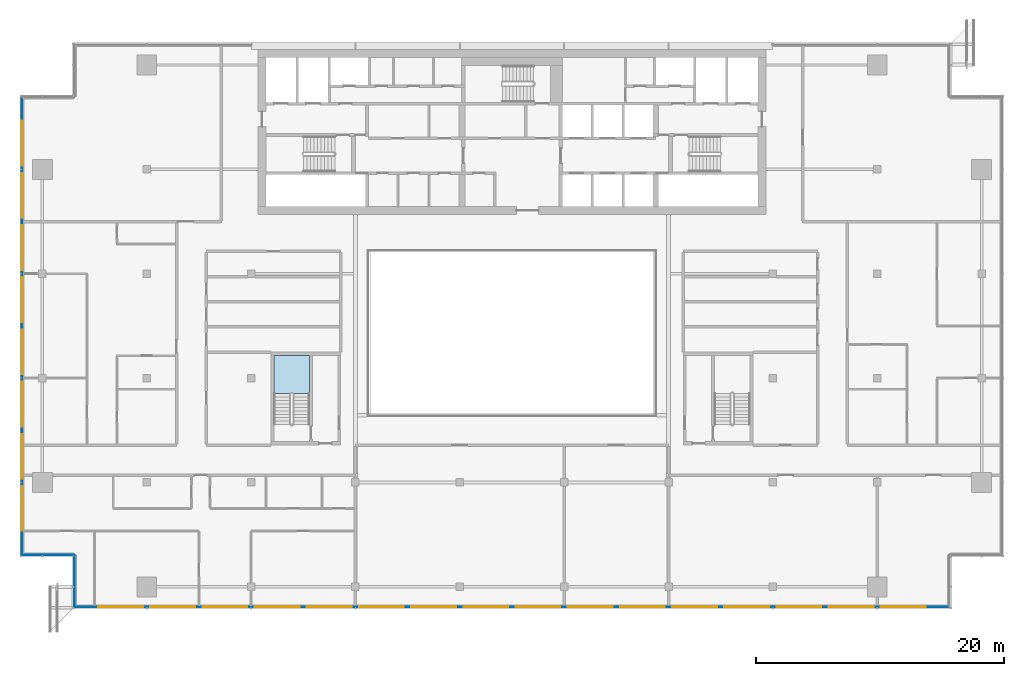
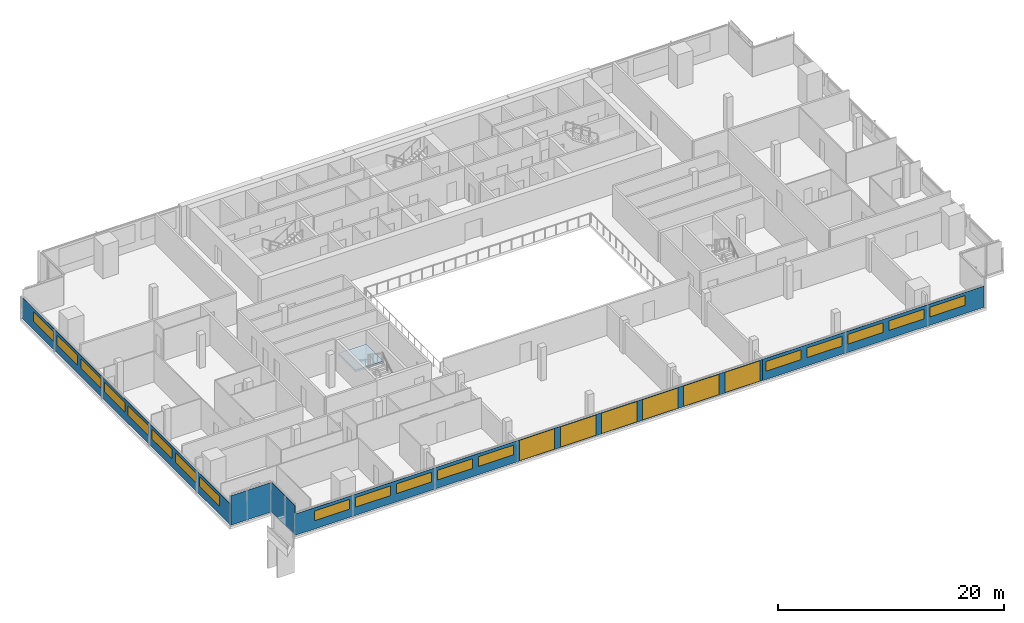
# One storey, part 15 of 25: 24 windows, 6 plates, 1 slab, 24 openings, 5 elements without a shape of their own.
"""IFC4 building model written with IfcOpenShell, lengths in metres."""

from ifc_helpers import new_model, si_unit, direction, frame, frame_2d, origin, place, context, subcontext, project, spatial, polyline, rectangle, outline, extrude, material, layer, layer_set, type_object, element, fill, aggregate, save


model = new_model("IFC4")

# Units and contexts
model_context = context("Model", 3, precision=1e-05, world=origin(), true_north=direction((0.0, 1.0)))
body_context = subcontext(model_context, "Body", "Model", "MODEL_VIEW")
ifc_project = project(units=[si_unit("LENGTHUNIT", "METRE"), si_unit("AREAUNIT", "SQUARE_METRE"), si_unit("VOLUMEUNIT", "CUBIC_METRE"), si_unit("PLANEANGLEUNIT", "RADIAN"), si_unit("MASSUNIT", "GRAM", prefix="KILO")], contexts=[model_context])

# Site, building, storey
site_placement = place(None, origin())
site = spatial("IfcSite", under=ifc_project, at=site_placement, CompositionType="ELEMENT")
building_placement = place(site_placement, origin())
building = spatial("IfcBuilding", under=site, at=building_placement, Name="Saffron Gate Tower", CompositionType="ELEMENT")
storey_placement = place(building_placement, frame((0.0, 0.0, 248.699951171875)))
storey = spatial("IfcBuildingStorey", under=building, at=storey_placement, Name="L61", CompositionType="ELEMENT", Elevation=248.699951171875)

# Curtain wall, plates, openings, windows
ifc_material_1 = material(Name="Aluminium, bronze anodised", Category="aluminium")
curtain_wall_type_1 = type_object("IfcCurtainWallType", Name="CWS1 curtain wall front facade", PredefinedType="NOTDEFINED", material=ifc_material_1)
curtain_wall_1_placement = place(storey_placement, origin())
curtain_wall_1 = element("IfcCurtainWall", 1, at=curtain_wall_1_placement, inside=storey, type_object=curtain_wall_type_1, Name="CWS1 run 1", PredefinedType="NOTDEFINED")
ifc_material_2 = material(Name="Clear low-iron laminated glass", Category="glass")
ifc_layer_1 = layer(ifc_material_2, 0.028076171875)
ifc_layer_set_1 = layer_set([ifc_layer_1], Name="CWS1 clear glass")
plate_type_1 = type_object("IfcPlateType", Name="CWS1 clear glass", PredefinedType="CURTAIN_PANEL", material=ifc_layer_set_1)
plate_1_placement = place(storey_placement, frame((75.030029296875, 30.174072265625, 0.0), z_axis=(0.0, 0.0, 1.0), x_axis=(1.0, 0.0, 0.0)))
plate_1 = element("IfcPlate", 2, at=plate_1_placement, type_object=plate_type_1, Name="CWS1 clear glass panel", PredefinedType="CURTAIN_PANEL", context=body_context, shape_type="SweptSolid", body=[
    extrude(rectangle(XDim=25.139892578125, YDim=0.028076171875, at=frame_2d((12.56982421875, 0.0))), origin(), (0.0, 0.0, 1.0), 2.2900390625),
])
opening_1_placement = place(plate_1_placement, frame((0.27001953125, 0.0, 0.050048828125)))
opening_1 = element("IfcOpeningElement", 3, at=opening_1_placement, cuts=plate_1, Name="Opening WA", PredefinedType="OPENING", context=body_context, shape_type="SweptSolid", body=[
    extrude(rectangle(XDim=3.60009765625, YDim=2.18994140625, at=frame_2d((1.800048828125, 1.094970703125))), frame((0.0, 0.02392578125, 0.0), z_axis=(0.0, -1.0, 0.0), x_axis=(1.0, 0.0, 0.0)), (0.0, 0.0, 1.0), 0.048095703125),
])
opening_2_placement = place(plate_1_placement, frame((4.469970703125, 0.0, 0.050048828125)))
opening_2 = element("IfcOpeningElement", 4, at=opening_2_placement, cuts=plate_1, Name="Opening WA", PredefinedType="OPENING", context=body_context, shape_type="SweptSolid", body=[
    extrude(rectangle(XDim=3.60009765625, YDim=2.18994140625, at=frame_2d((1.800048828125, 1.094970703125))), frame((0.0, 0.02392578125, 0.0), z_axis=(0.0, -1.0, 0.0), x_axis=(1.0, 0.0, 0.0)), (0.0, 0.0, 1.0), 0.048095703125),
])
opening_3_placement = place(plate_1_placement, frame((8.669921875, 0.0, 0.050048828125)))
opening_3 = element("IfcOpeningElement", 5, at=opening_3_placement, cuts=plate_1, Name="Opening WA", PredefinedType="OPENING", context=body_context, shape_type="SweptSolid", body=[
    extrude(rectangle(XDim=3.60009765625, YDim=2.18994140625, at=frame_2d((1.800048828125, 1.094970703125))), frame((0.0, 0.02392578125, 0.0), z_axis=(0.0, -1.0, 0.0), x_axis=(1.0, 0.0, 0.0)), (0.0, 0.0, 1.0), 0.048095703125),
])
opening_4_placement = place(plate_1_placement, frame((12.8701171875, 0.0, 0.050048828125)))
opening_4 = element("IfcOpeningElement", 6, at=opening_4_placement, cuts=plate_1, Name="Opening WA", PredefinedType="OPENING", context=body_context, shape_type="SweptSolid", body=[
    extrude(rectangle(XDim=3.60009765625, YDim=2.18994140625, at=frame_2d((1.800048828125, 1.094970703125))), frame((0.0, 0.02392578125, 0.0), z_axis=(0.0, -1.0, 0.0), x_axis=(1.0, 0.0, 0.0)), (0.0, 0.0, 1.0), 0.048095703125),
])
opening_5_placement = place(plate_1_placement, frame((17.070068359375, 0.0, 0.050048828125)))
opening_5 = element("IfcOpeningElement", 7, at=opening_5_placement, cuts=plate_1, Name="Opening WA", PredefinedType="OPENING", context=body_context, shape_type="SweptSolid", body=[
    extrude(rectangle(XDim=3.60009765625, YDim=2.18994140625, at=frame_2d((1.800048828125, 1.094970703125))), frame((0.0, 0.02392578125, 0.0), z_axis=(0.0, -1.0, 0.0), x_axis=(1.0, 0.0, 0.0)), (0.0, 0.0, 1.0), 0.048095703125),
])
opening_6_placement = place(plate_1_placement, frame((21.27001953125, 0.0, 0.050048828125)))
opening_6 = element("IfcOpeningElement", 8, at=opening_6_placement, cuts=plate_1, Name="Opening WA", PredefinedType="OPENING", context=body_context, shape_type="SweptSolid", body=[
    extrude(rectangle(XDim=3.60009765625, YDim=2.18994140625, at=frame_2d((1.800048828125, 1.094970703125))), frame((0.0, 0.02392578125, 0.0), z_axis=(0.0, -1.0, 0.0), x_axis=(1.0, 0.0, 0.0)), (0.0, 0.0, 1.0), 0.048095703125),
])
ifc_material_3 = material(Name="Clear low-iron laminated glass in bronze frame", Category="glass")
ifc_layer_2 = layer(ifc_material_3, 0.06005859375)
ifc_layer_set_2 = layer_set([ifc_layer_2], Name="WA operable atrium unit 3600x2190")
window_type_1 = type_object("IfcWindowType", Name="WA operable atrium unit 3600x2190", PartitioningType="DOUBLE_PANEL_HORIZONTAL", PredefinedType="WINDOW", material=ifc_layer_set_2)
window_1_placement = place(opening_1_placement, origin())
window_1 = element("IfcWindow", 9, at=window_1_placement, type_object=window_type_1, Name="WA operable atrium unit", OverallHeight=2.18994140625, OverallWidth=3.60009765625, PartitioningType="SINGLE_PANEL", PredefinedType="WINDOW", context=body_context, shape_type="SweptSolid", body=[
    extrude(rectangle(XDim=3.60009765625, YDim=2.18994140625, at=frame_2d((1.800048828125, 1.094970703125))), frame((0.0, 0.013671875, 0.0), z_axis=(0.0, -1.0, 0.0), x_axis=(1.0, 0.0, 0.0)), (0.0, 0.0, 1.0), 0.027587890625),
])
fill(opening_1, window_1)
window_2_placement = place(opening_2_placement, origin())
window_2 = element("IfcWindow", 10, at=window_2_placement, type_object=window_type_1, Name="WA operable atrium unit", OverallHeight=2.18994140625, OverallWidth=3.60009765625, PartitioningType="SINGLE_PANEL", PredefinedType="WINDOW", context=body_context, shape_type="SweptSolid", body=[
    extrude(rectangle(XDim=3.60009765625, YDim=2.18994140625, at=frame_2d((1.800048828125, 1.094970703125))), frame((0.0, 0.013671875, 0.0), z_axis=(0.0, -1.0, 0.0), x_axis=(1.0, 0.0, 0.0)), (0.0, 0.0, 1.0), 0.027587890625),
])
fill(opening_2, window_2)
window_3_placement = place(opening_3_placement, origin())
window_3 = element("IfcWindow", 11, at=window_3_placement, type_object=window_type_1, Name="WA operable atrium unit", OverallHeight=2.18994140625, OverallWidth=3.60009765625, PartitioningType="SINGLE_PANEL", PredefinedType="WINDOW", context=body_context, shape_type="SweptSolid", body=[
    extrude(rectangle(XDim=3.60009765625, YDim=2.18994140625, at=frame_2d((1.800048828125, 1.094970703125))), frame((0.0, 0.013671875, 0.0), z_axis=(0.0, -1.0, 0.0), x_axis=(1.0, 0.0, 0.0)), (0.0, 0.0, 1.0), 0.027587890625),
])
fill(opening_3, window_3)
window_4_placement = place(opening_4_placement, origin())
window_4 = element("IfcWindow", 12, at=window_4_placement, type_object=window_type_1, Name="WA operable atrium unit", OverallHeight=2.18994140625, OverallWidth=3.60009765625, PartitioningType="SINGLE_PANEL", PredefinedType="WINDOW", context=body_context, shape_type="SweptSolid", body=[
    extrude(rectangle(XDim=3.60009765625, YDim=2.18994140625, at=frame_2d((1.800048828125, 1.094970703125))), frame((0.0, 0.013671875, 0.0), z_axis=(0.0, -1.0, 0.0), x_axis=(1.0, 0.0, 0.0)), (0.0, 0.0, 1.0), 0.027587890625),
])
fill(opening_4, window_4)
window_5_placement = place(opening_5_placement, origin())
window_5 = element("IfcWindow", 13, at=window_5_placement, type_object=window_type_1, Name="WA operable atrium unit", OverallHeight=2.18994140625, OverallWidth=3.60009765625, PartitioningType="SINGLE_PANEL", PredefinedType="WINDOW", context=body_context, shape_type="SweptSolid", body=[
    extrude(rectangle(XDim=3.60009765625, YDim=2.18994140625, at=frame_2d((1.800048828125, 1.094970703125))), frame((0.0, 0.013671875, 0.0), z_axis=(0.0, -1.0, 0.0), x_axis=(1.0, 0.0, 0.0)), (0.0, 0.0, 1.0), 0.027587890625),
])
fill(opening_5, window_5)
window_6_placement = place(opening_6_placement, origin())
window_6 = element("IfcWindow", 14, at=window_6_placement, type_object=window_type_1, Name="WA operable atrium unit", OverallHeight=2.18994140625, OverallWidth=3.60009765625, PartitioningType="SINGLE_PANEL", PredefinedType="WINDOW", context=body_context, shape_type="SweptSolid", body=[
    extrude(rectangle(XDim=3.60009765625, YDim=2.18994140625, at=frame_2d((1.800048828125, 1.094970703125))), frame((0.0, 0.013671875, 0.0), z_axis=(0.0, -1.0, 0.0), x_axis=(1.0, 0.0, 0.0)), (0.0, 0.0, 1.0), 0.027587890625),
])
fill(opening_6, window_6)
ifc_material_4 = material(Name="Fritted bronze-tinted laminated glass", Category="glass")
ifc_layer_3 = layer(ifc_material_4, 0.028076171875)
ifc_layer_set_3 = layer_set([ifc_layer_3], Name="CWS1 fixed glass")
plate_type_2 = type_object("IfcPlateType", Name="CWS1 fixed glass", PredefinedType="CURTAIN_PANEL", material=ifc_layer_set_3)
plate_2_placement = place(storey_placement, frame((52.387939453125, 30.174072265625, 0.0), z_axis=(0.0, 0.0, 1.0), x_axis=(1.0, 0.0, 0.0)))
plate_2 = element("IfcPlate", 15, at=plate_2_placement, type_object=plate_type_2, Name="CWS1 glass panel", PredefinedType="CURTAIN_PANEL", context=body_context, shape_type="SweptSolid", body=[
    extrude(rectangle(XDim=22.64208984375, YDim=0.028076171875, at=frame_2d((11.321044921875, 0.0))), origin(), (0.0, 0.0, 1.0), 2.2900390625),
])
opening_7_placement = place(plate_2_placement, frame((1.912109375, 0.0, 0.89990234375)))
opening_7 = element("IfcOpeningElement", 16, at=opening_7_placement, cuts=plate_2, Name="Opening W11", PredefinedType="OPENING", context=body_context, shape_type="SweptSolid", body=[
    extrude(rectangle(XDim=3.60009765625, YDim=1.0400390625, at=frame_2d((1.800048828125, 0.52001953125))), frame((0.0, 0.02392578125, 0.0), z_axis=(0.0, -1.0, 0.0), x_axis=(1.0, 0.0, 0.0)), (0.0, 0.0, 1.0), 0.048095703125),
])
opening_8_placement = place(plate_2_placement, frame((6.112060546875, 0.0, 0.89990234375)))
opening_8 = element("IfcOpeningElement", 17, at=opening_8_placement, cuts=plate_2, Name="Opening W11", PredefinedType="OPENING", context=body_context, shape_type="SweptSolid", body=[
    extrude(rectangle(XDim=3.60009765625, YDim=1.0400390625, at=frame_2d((1.800048828125, 0.52001953125))), frame((0.0, 0.02392578125, 0.0), z_axis=(0.0, -1.0, 0.0), x_axis=(1.0, 0.0, 0.0)), (0.0, 0.0, 1.0), 0.048095703125),
])
opening_9_placement = place(plate_2_placement, frame((10.31201171875, 0.0, 0.89990234375)))
opening_9 = element("IfcOpeningElement", 18, at=opening_9_placement, cuts=plate_2, Name="Opening W11", PredefinedType="OPENING", context=body_context, shape_type="SweptSolid", body=[
    extrude(rectangle(XDim=3.60009765625, YDim=1.0400390625, at=frame_2d((1.800048828125, 0.52001953125))), frame((0.0, 0.02392578125, 0.0), z_axis=(0.0, -1.0, 0.0), x_axis=(1.0, 0.0, 0.0)), (0.0, 0.0, 1.0), 0.048095703125),
])
opening_10_placement = place(plate_2_placement, frame((14.511962890625, 0.0, 0.89990234375)))
opening_10 = element("IfcOpeningElement", 19, at=opening_10_placement, cuts=plate_2, Name="Opening W11", PredefinedType="OPENING", context=body_context, shape_type="SweptSolid", body=[
    extrude(rectangle(XDim=3.60009765625, YDim=1.0400390625, at=frame_2d((1.800048828125, 0.52001953125))), frame((0.0, 0.02392578125, 0.0), z_axis=(0.0, -1.0, 0.0), x_axis=(1.0, 0.0, 0.0)), (0.0, 0.0, 1.0), 0.048095703125),
])
opening_11_placement = place(plate_2_placement, frame((18.7119140625, 0.0, 0.89990234375)))
opening_11 = element("IfcOpeningElement", 20, at=opening_11_placement, cuts=plate_2, Name="Opening W11", PredefinedType="OPENING", context=body_context, shape_type="SweptSolid", body=[
    extrude(rectangle(XDim=3.60009765625, YDim=1.0400390625, at=frame_2d((1.800048828125, 0.52001953125))), frame((0.0, 0.02392578125, 0.0), z_axis=(0.0, -1.0, 0.0), x_axis=(1.0, 0.0, 0.0)), (0.0, 0.0, 1.0), 0.048095703125),
])
ifc_material_5 = material(Name="Fritted bronze-tinted laminated glass in bronze frame", Category="glass")
ifc_layer_4 = layer(ifc_material_5, 0.06005859375)
ifc_layer_set_4 = layer_set([ifc_layer_4], Name="W11 operable panel 3600x1040")
window_type_2 = type_object("IfcWindowType", Name="W11 operable panel 3600x1040", PartitioningType="DOUBLE_PANEL_HORIZONTAL", PredefinedType="WINDOW", material=ifc_layer_set_4)
window_7_placement = place(opening_7_placement, origin())
window_7 = element("IfcWindow", 21, at=window_7_placement, type_object=window_type_2, Name="W11 operable panel", OverallHeight=1.0400390625, OverallWidth=3.60009765625, PartitioningType="SINGLE_PANEL", PredefinedType="WINDOW", context=body_context, shape_type="SweptSolid", body=[
    extrude(rectangle(XDim=3.60009765625, YDim=1.0400390625, at=frame_2d((1.800048828125, 0.52001953125))), frame((0.0, 0.013671875, 0.0), z_axis=(0.0, -1.0, 0.0), x_axis=(1.0, 0.0, 0.0)), (0.0, 0.0, 1.0), 0.027587890625),
])
fill(opening_7, window_7)
window_8_placement = place(opening_8_placement, origin())
window_8 = element("IfcWindow", 22, at=window_8_placement, type_object=window_type_2, Name="W11 operable panel", OverallHeight=1.0400390625, OverallWidth=3.60009765625, PartitioningType="SINGLE_PANEL", PredefinedType="WINDOW", context=body_context, shape_type="SweptSolid", body=[
    extrude(rectangle(XDim=3.60009765625, YDim=1.0400390625, at=frame_2d((1.800048828125, 0.52001953125))), frame((0.0, 0.013671875, 0.0), z_axis=(0.0, -1.0, 0.0), x_axis=(1.0, 0.0, 0.0)), (0.0, 0.0, 1.0), 0.027587890625),
])
fill(opening_8, window_8)
window_9_placement = place(opening_9_placement, origin())
window_9 = element("IfcWindow", 23, at=window_9_placement, type_object=window_type_2, Name="W11 operable panel", OverallHeight=1.0400390625, OverallWidth=3.60009765625, PartitioningType="SINGLE_PANEL", PredefinedType="WINDOW", context=body_context, shape_type="SweptSolid", body=[
    extrude(rectangle(XDim=3.60009765625, YDim=1.0400390625, at=frame_2d((1.800048828125, 0.52001953125))), frame((0.0, 0.013671875, 0.0), z_axis=(0.0, -1.0, 0.0), x_axis=(1.0, 0.0, 0.0)), (0.0, 0.0, 1.0), 0.027587890625),
])
fill(opening_9, window_9)
window_10_placement = place(opening_10_placement, origin())
window_10 = element("IfcWindow", 24, at=window_10_placement, type_object=window_type_2, Name="W11 operable panel", OverallHeight=1.0400390625, OverallWidth=3.60009765625, PartitioningType="SINGLE_PANEL", PredefinedType="WINDOW", context=body_context, shape_type="SweptSolid", body=[
    extrude(rectangle(XDim=3.60009765625, YDim=1.0400390625, at=frame_2d((1.800048828125, 0.52001953125))), frame((0.0, 0.013671875, 0.0), z_axis=(0.0, -1.0, 0.0), x_axis=(1.0, 0.0, 0.0)), (0.0, 0.0, 1.0), 0.027587890625),
])
fill(opening_10, window_10)
window_11_placement = place(opening_11_placement, origin())
window_11 = element("IfcWindow", 25, at=window_11_placement, type_object=window_type_2, Name="W11 operable panel", OverallHeight=1.0400390625, OverallWidth=3.60009765625, PartitioningType="SINGLE_PANEL", PredefinedType="WINDOW", context=body_context, shape_type="SweptSolid", body=[
    extrude(rectangle(XDim=3.60009765625, YDim=1.0400390625, at=frame_2d((1.800048828125, 0.52001953125))), frame((0.0, 0.013671875, 0.0), z_axis=(0.0, -1.0, 0.0), x_axis=(1.0, 0.0, 0.0)), (0.0, 0.0, 1.0), 0.027587890625),
])
fill(opening_11, window_11)
plate_3_placement = place(storey_placement, frame((100.169921875, 30.174072265625, 0.0), z_axis=(0.0, 0.0, 1.0), x_axis=(1.0, 0.0, 0.0)))
plate_3 = element("IfcPlate", 26, at=plate_3_placement, type_object=plate_type_2, Name="CWS1 glass panel", PredefinedType="CURTAIN_PANEL", context=body_context, shape_type="SweptSolid", body=[
    extrude(rectangle(XDim=22.64208984375, YDim=0.028076171875, at=frame_2d((11.321044921875, 0.0))), origin(), (0.0, 0.0, 1.0), 2.2900390625),
])
opening_12_placement = place(plate_3_placement, frame((0.330078125, 0.0, 0.89990234375)))
opening_12 = element("IfcOpeningElement", 27, at=opening_12_placement, cuts=plate_3, Name="Opening W11", PredefinedType="OPENING", context=body_context, shape_type="SweptSolid", body=[
    extrude(rectangle(XDim=3.60009765625, YDim=1.0400390625, at=frame_2d((1.800048828125, 0.52001953125))), frame((0.0, 0.02392578125, 0.0), z_axis=(0.0, -1.0, 0.0), x_axis=(1.0, 0.0, 0.0)), (0.0, 0.0, 1.0), 0.048095703125),
])
opening_13_placement = place(plate_3_placement, frame((4.530029296875, 0.0, 0.89990234375)))
opening_13 = element("IfcOpeningElement", 28, at=opening_13_placement, cuts=plate_3, Name="Opening W11", PredefinedType="OPENING", context=body_context, shape_type="SweptSolid", body=[
    extrude(rectangle(XDim=3.60009765625, YDim=1.0400390625, at=frame_2d((1.800048828125, 0.52001953125))), frame((0.0, 0.02392578125, 0.0), z_axis=(0.0, -1.0, 0.0), x_axis=(1.0, 0.0, 0.0)), (0.0, 0.0, 1.0), 0.048095703125),
])
opening_14_placement = place(plate_3_placement, frame((8.72998046875, 0.0, 0.89990234375)))
opening_14 = element("IfcOpeningElement", 29, at=opening_14_placement, cuts=plate_3, Name="Opening W11", PredefinedType="OPENING", context=body_context, shape_type="SweptSolid", body=[
    extrude(rectangle(XDim=3.60009765625, YDim=1.0400390625, at=frame_2d((1.800048828125, 0.52001953125))), frame((0.0, 0.02392578125, 0.0), z_axis=(0.0, -1.0, 0.0), x_axis=(1.0, 0.0, 0.0)), (0.0, 0.0, 1.0), 0.048095703125),
])
opening_15_placement = place(plate_3_placement, frame((12.929931640625, 0.0, 0.89990234375)))
opening_15 = element("IfcOpeningElement", 30, at=opening_15_placement, cuts=plate_3, Name="Opening W11", PredefinedType="OPENING", context=body_context, shape_type="SweptSolid", body=[
    extrude(rectangle(XDim=3.60009765625, YDim=1.0400390625, at=frame_2d((1.800048828125, 0.52001953125))), frame((0.0, 0.02392578125, 0.0), z_axis=(0.0, -1.0, 0.0), x_axis=(1.0, 0.0, 0.0)), (0.0, 0.0, 1.0), 0.048095703125),
])
opening_16_placement = place(plate_3_placement, frame((17.1298828125, 0.0, 0.89990234375)))
opening_16 = element("IfcOpeningElement", 31, at=opening_16_placement, cuts=plate_3, Name="Opening W11", PredefinedType="OPENING", context=body_context, shape_type="SweptSolid", body=[
    extrude(rectangle(XDim=3.60009765625, YDim=1.0400390625, at=frame_2d((1.800048828125, 0.52001953125))), frame((0.0, 0.02392578125, 0.0), z_axis=(0.0, -1.0, 0.0), x_axis=(1.0, 0.0, 0.0)), (0.0, 0.0, 1.0), 0.048095703125),
])
window_12_placement = place(opening_12_placement, origin())
window_12 = element("IfcWindow", 32, at=window_12_placement, type_object=window_type_2, Name="W11 operable panel", OverallHeight=1.0400390625, OverallWidth=3.60009765625, PartitioningType="SINGLE_PANEL", PredefinedType="WINDOW", context=body_context, shape_type="SweptSolid", body=[
    extrude(rectangle(XDim=3.60009765625, YDim=1.0400390625, at=frame_2d((1.800048828125, 0.52001953125))), frame((0.0, 0.013671875, 0.0), z_axis=(0.0, -1.0, 0.0), x_axis=(1.0, 0.0, 0.0)), (0.0, 0.0, 1.0), 0.027587890625),
])
fill(opening_12, window_12)
window_13_placement = place(opening_13_placement, origin())
window_13 = element("IfcWindow", 33, at=window_13_placement, type_object=window_type_2, Name="W11 operable panel", OverallHeight=1.0400390625, OverallWidth=3.60009765625, PartitioningType="SINGLE_PANEL", PredefinedType="WINDOW", context=body_context, shape_type="SweptSolid", body=[
    extrude(rectangle(XDim=3.60009765625, YDim=1.0400390625, at=frame_2d((1.800048828125, 0.52001953125))), frame((0.0, 0.013671875, 0.0), z_axis=(0.0, -1.0, 0.0), x_axis=(1.0, 0.0, 0.0)), (0.0, 0.0, 1.0), 0.027587890625),
])
fill(opening_13, window_13)
window_14_placement = place(opening_14_placement, origin())
window_14 = element("IfcWindow", 34, at=window_14_placement, type_object=window_type_2, Name="W11 operable panel", OverallHeight=1.0400390625, OverallWidth=3.60009765625, PartitioningType="SINGLE_PANEL", PredefinedType="WINDOW", context=body_context, shape_type="SweptSolid", body=[
    extrude(rectangle(XDim=3.60009765625, YDim=1.0400390625, at=frame_2d((1.800048828125, 0.52001953125))), frame((0.0, 0.013671875, 0.0), z_axis=(0.0, -1.0, 0.0), x_axis=(1.0, 0.0, 0.0)), (0.0, 0.0, 1.0), 0.027587890625),
])
fill(opening_14, window_14)
window_15_placement = place(opening_15_placement, origin())
window_15 = element("IfcWindow", 35, at=window_15_placement, type_object=window_type_2, Name="W11 operable panel", OverallHeight=1.0400390625, OverallWidth=3.60009765625, PartitioningType="SINGLE_PANEL", PredefinedType="WINDOW", context=body_context, shape_type="SweptSolid", body=[
    extrude(rectangle(XDim=3.60009765625, YDim=1.0400390625, at=frame_2d((1.800048828125, 0.52001953125))), frame((0.0, 0.013671875, 0.0), z_axis=(0.0, -1.0, 0.0), x_axis=(1.0, 0.0, 0.0)), (0.0, 0.0, 1.0), 0.027587890625),
])
fill(opening_15, window_15)
window_16_placement = place(opening_16_placement, origin())
window_16 = element("IfcWindow", 36, at=window_16_placement, type_object=window_type_2, Name="W11 operable panel", OverallHeight=1.0400390625, OverallWidth=3.60009765625, PartitioningType="SINGLE_PANEL", PredefinedType="WINDOW", context=body_context, shape_type="SweptSolid", body=[
    extrude(rectangle(XDim=3.60009765625, YDim=1.0400390625, at=frame_2d((1.800048828125, 0.52001953125))), frame((0.0, 0.013671875, 0.0), z_axis=(0.0, -1.0, 0.0), x_axis=(1.0, 0.0, 0.0)), (0.0, 0.0, 1.0), 0.027587890625),
])
fill(opening_16, window_16)
aggregate(curtain_wall_1, [plate_2, plate_3, plate_1, window_7, window_8, window_9, window_10, window_11, window_12, window_13, window_14, window_15, window_16, window_1, window_2, window_3, window_4, window_5, window_6])

# Curtain wall, plate, openings, windows
curtain_wall_type_2 = type_object("IfcCurtainWallType", Name="CWS2 curtain wall side facades", PredefinedType="NOTDEFINED", material=ifc_material_1)
curtain_wall_2_placement = place(storey_placement, origin())
curtain_wall_2 = element("IfcCurtainWall", 37, at=curtain_wall_2_placement, inside=storey, type_object=curtain_wall_type_2, Name="CWS2 run 10", PredefinedType="NOTDEFINED")
ifc_layer_5 = layer(ifc_material_4, 0.028076171875)
ifc_layer_set_5 = layer_set([ifc_layer_5], Name="CWS2 fixed glass")
plate_type_3 = type_object("IfcPlateType", Name="CWS2 fixed glass", PredefinedType="CURTAIN_PANEL", material=ifc_layer_set_5)
plate_4_placement = place(storey_placement, frame((48.174072265625, 71.2119140625, 0.0), z_axis=(0.0, 0.0, 1.0), x_axis=(0.0, -1.0, 0.0)))
plate_4 = element("IfcPlate", 38, at=plate_4_placement, type_object=plate_type_3, Name="CWS2 glass panel", PredefinedType="CURTAIN_PANEL", context=body_context, shape_type="SweptSolid", body=[
    extrude(rectangle(XDim=36.823974609375, YDim=0.028076171875, at=frame_2d((18.412109375, 0.0))), origin(), (0.0, 0.0, 1.0), 2.2900390625),
])
opening_17_placement = place(plate_4_placement, frame((1.912109375, 0.0, 0.89990234375)))
opening_17 = element("IfcOpeningElement", 39, at=opening_17_placement, cuts=plate_4, Name="Opening W11", PredefinedType="OPENING", context=body_context, shape_type="SweptSolid", body=[
    extrude(rectangle(XDim=3.60009765625, YDim=1.0400390625, at=frame_2d((1.800048828125, 0.52001953125))), frame((0.0, 0.02392578125, 0.0), z_axis=(0.0, -1.0, 0.0), x_axis=(1.0, 0.0, 0.0)), (0.0, 0.0, 1.0), 0.048095703125),
])
opening_18_placement = place(plate_4_placement, frame((6.112060546875, 0.0, 0.89990234375)))
opening_18 = element("IfcOpeningElement", 40, at=opening_18_placement, cuts=plate_4, Name="Opening W11", PredefinedType="OPENING", context=body_context, shape_type="SweptSolid", body=[
    extrude(rectangle(XDim=3.60009765625, YDim=1.0400390625, at=frame_2d((1.800048828125, 0.52001953125))), frame((0.0, 0.02392578125, 0.0), z_axis=(0.0, -1.0, 0.0), x_axis=(1.0, 0.0, 0.0)), (0.0, 0.0, 1.0), 0.048095703125),
])
opening_19_placement = place(plate_4_placement, frame((10.31201171875, 0.0, 0.89990234375)))
opening_19 = element("IfcOpeningElement", 41, at=opening_19_placement, cuts=plate_4, Name="Opening W11", PredefinedType="OPENING", context=body_context, shape_type="SweptSolid", body=[
    extrude(rectangle(XDim=3.60009765625, YDim=1.0400390625, at=frame_2d((1.800048828125, 0.52001953125))), frame((0.0, 0.02392578125, 0.0), z_axis=(0.0, -1.0, 0.0), x_axis=(1.0, 0.0, 0.0)), (0.0, 0.0, 1.0), 0.048095703125),
])
opening_20_placement = place(plate_4_placement, frame((14.511962890625, 0.0, 0.89990234375)))
opening_20 = element("IfcOpeningElement", 42, at=opening_20_placement, cuts=plate_4, Name="Opening W11", PredefinedType="OPENING", context=body_context, shape_type="SweptSolid", body=[
    extrude(rectangle(XDim=3.60009765625, YDim=1.0400390625, at=frame_2d((1.800048828125, 0.52001953125))), frame((0.0, 0.02392578125, 0.0), z_axis=(0.0, -1.0, 0.0), x_axis=(1.0, 0.0, 0.0)), (0.0, 0.0, 1.0), 0.048095703125),
])
opening_21_placement = place(plate_4_placement, frame((18.7119140625, 0.0, 0.89990234375)))
opening_21 = element("IfcOpeningElement", 43, at=opening_21_placement, cuts=plate_4, Name="Opening W11", PredefinedType="OPENING", context=body_context, shape_type="SweptSolid", body=[
    extrude(rectangle(XDim=3.60009765625, YDim=1.0400390625, at=frame_2d((1.800048828125, 0.52001953125))), frame((0.0, 0.02392578125, 0.0), z_axis=(0.0, -1.0, 0.0), x_axis=(1.0, 0.0, 0.0)), (0.0, 0.0, 1.0), 0.048095703125),
])
opening_22_placement = place(plate_4_placement, frame((22.912109375, 0.0, 0.89990234375)))
opening_22 = element("IfcOpeningElement", 44, at=opening_22_placement, cuts=plate_4, Name="Opening W11", PredefinedType="OPENING", context=body_context, shape_type="SweptSolid", body=[
    extrude(rectangle(XDim=3.60009765625, YDim=1.0400390625, at=frame_2d((1.800048828125, 0.52001953125))), frame((0.0, 0.02392578125, 0.0), z_axis=(0.0, -1.0, 0.0), x_axis=(1.0, 0.0, 0.0)), (0.0, 0.0, 1.0), 0.048095703125),
])
opening_23_placement = place(plate_4_placement, frame((27.112060546875, 0.0, 0.89990234375)))
opening_23 = element("IfcOpeningElement", 45, at=opening_23_placement, cuts=plate_4, Name="Opening W11", PredefinedType="OPENING", context=body_context, shape_type="SweptSolid", body=[
    extrude(rectangle(XDim=3.60009765625, YDim=1.0400390625, at=frame_2d((1.800048828125, 0.52001953125))), frame((0.0, 0.02392578125, 0.0), z_axis=(0.0, -1.0, 0.0), x_axis=(1.0, 0.0, 0.0)), (0.0, 0.0, 1.0), 0.048095703125),
])
opening_24_placement = place(plate_4_placement, frame((31.31201171875, 0.0, 0.89990234375)))
opening_24 = element("IfcOpeningElement", 46, at=opening_24_placement, cuts=plate_4, Name="Opening W11", PredefinedType="OPENING", context=body_context, shape_type="SweptSolid", body=[
    extrude(rectangle(XDim=3.60009765625, YDim=1.0400390625, at=frame_2d((1.800048828125, 0.52001953125))), frame((0.0, 0.02392578125, 0.0), z_axis=(0.0, -1.0, 0.0), x_axis=(1.0, 0.0, 0.0)), (0.0, 0.0, 1.0), 0.048095703125),
])
window_17_placement = place(opening_17_placement, origin())
window_17 = element("IfcWindow", 47, at=window_17_placement, type_object=window_type_2, Name="W11 operable panel", OverallHeight=1.0400390625, OverallWidth=3.60009765625, PartitioningType="SINGLE_PANEL", PredefinedType="WINDOW", context=body_context, shape_type="SweptSolid", body=[
    extrude(rectangle(XDim=3.60009765625, YDim=1.0400390625, at=frame_2d((1.800048828125, 0.52001953125))), frame((0.0, 0.013671875, 0.0), z_axis=(0.0, -1.0, 0.0), x_axis=(1.0, 0.0, 0.0)), (0.0, 0.0, 1.0), 0.027587890625),
])
fill(opening_17, window_17)
window_18_placement = place(opening_18_placement, origin())
window_18 = element("IfcWindow", 48, at=window_18_placement, type_object=window_type_2, Name="W11 operable panel", OverallHeight=1.0400390625, OverallWidth=3.60009765625, PartitioningType="SINGLE_PANEL", PredefinedType="WINDOW", context=body_context, shape_type="SweptSolid", body=[
    extrude(rectangle(XDim=3.60009765625, YDim=1.0400390625, at=frame_2d((1.800048828125, 0.52001953125))), frame((0.0, 0.013671875, 0.0), z_axis=(0.0, -1.0, 0.0), x_axis=(1.0, 0.0, 0.0)), (0.0, 0.0, 1.0), 0.027587890625),
])
fill(opening_18, window_18)
window_19_placement = place(opening_19_placement, origin())
window_19 = element("IfcWindow", 49, at=window_19_placement, type_object=window_type_2, Name="W11 operable panel", OverallHeight=1.0400390625, OverallWidth=3.60009765625, PartitioningType="SINGLE_PANEL", PredefinedType="WINDOW", context=body_context, shape_type="SweptSolid", body=[
    extrude(rectangle(XDim=3.60009765625, YDim=1.0400390625, at=frame_2d((1.800048828125, 0.52001953125))), frame((0.0, 0.013671875, 0.0), z_axis=(0.0, -1.0, 0.0), x_axis=(1.0, 0.0, 0.0)), (0.0, 0.0, 1.0), 0.027587890625),
])
fill(opening_19, window_19)
window_20_placement = place(opening_20_placement, origin())
window_20 = element("IfcWindow", 50, at=window_20_placement, type_object=window_type_2, Name="W11 operable panel", OverallHeight=1.0400390625, OverallWidth=3.60009765625, PartitioningType="SINGLE_PANEL", PredefinedType="WINDOW", context=body_context, shape_type="SweptSolid", body=[
    extrude(rectangle(XDim=3.60009765625, YDim=1.0400390625, at=frame_2d((1.800048828125, 0.52001953125))), frame((0.0, 0.013671875, 0.0), z_axis=(0.0, -1.0, 0.0), x_axis=(1.0, 0.0, 0.0)), (0.0, 0.0, 1.0), 0.027587890625),
])
fill(opening_20, window_20)
window_21_placement = place(opening_21_placement, origin())
window_21 = element("IfcWindow", 51, at=window_21_placement, type_object=window_type_2, Name="W11 operable panel", OverallHeight=1.0400390625, OverallWidth=3.60009765625, PartitioningType="SINGLE_PANEL", PredefinedType="WINDOW", context=body_context, shape_type="SweptSolid", body=[
    extrude(rectangle(XDim=3.60009765625, YDim=1.0400390625, at=frame_2d((1.800048828125, 0.52001953125))), frame((0.0, 0.013671875, 0.0), z_axis=(0.0, -1.0, 0.0), x_axis=(1.0, 0.0, 0.0)), (0.0, 0.0, 1.0), 0.027587890625),
])
fill(opening_21, window_21)
window_22_placement = place(opening_22_placement, origin())
window_22 = element("IfcWindow", 52, at=window_22_placement, type_object=window_type_2, Name="W11 operable panel", OverallHeight=1.0400390625, OverallWidth=3.60009765625, PartitioningType="SINGLE_PANEL", PredefinedType="WINDOW", context=body_context, shape_type="SweptSolid", body=[
    extrude(rectangle(XDim=3.60009765625, YDim=1.0400390625, at=frame_2d((1.800048828125, 0.52001953125))), frame((0.0, 0.013671875, 0.0), z_axis=(0.0, -1.0, 0.0), x_axis=(1.0, 0.0, 0.0)), (0.0, 0.0, 1.0), 0.027587890625),
])
fill(opening_22, window_22)
window_23_placement = place(opening_23_placement, origin())
window_23 = element("IfcWindow", 53, at=window_23_placement, type_object=window_type_2, Name="W11 operable panel", OverallHeight=1.0400390625, OverallWidth=3.60009765625, PartitioningType="SINGLE_PANEL", PredefinedType="WINDOW", context=body_context, shape_type="SweptSolid", body=[
    extrude(rectangle(XDim=3.60009765625, YDim=1.0400390625, at=frame_2d((1.800048828125, 0.52001953125))), frame((0.0, 0.013671875, 0.0), z_axis=(0.0, -1.0, 0.0), x_axis=(1.0, 0.0, 0.0)), (0.0, 0.0, 1.0), 0.027587890625),
])
fill(opening_23, window_23)
window_24_placement = place(opening_24_placement, origin())
window_24 = element("IfcWindow", 54, at=window_24_placement, type_object=window_type_2, Name="W11 operable panel", OverallHeight=1.0400390625, OverallWidth=3.60009765625, PartitioningType="SINGLE_PANEL", PredefinedType="WINDOW", context=body_context, shape_type="SweptSolid", body=[
    extrude(rectangle(XDim=3.60009765625, YDim=1.0400390625, at=frame_2d((1.800048828125, 0.52001953125))), frame((0.0, 0.013671875, 0.0), z_axis=(0.0, -1.0, 0.0), x_axis=(1.0, 0.0, 0.0)), (0.0, 0.0, 1.0), 0.027587890625),
])
fill(opening_24, window_24)
aggregate(curtain_wall_2, [plate_4, window_17, window_18, window_19, window_20, window_21, window_22, window_23, window_24])

# Curtain wall, plate
curtain_wall_type_3 = type_object("IfcCurtainWallType", Name="CWS4 curtain wall corner returns", PredefinedType="NOTDEFINED", material=ifc_material_1)
curtain_wall_3_placement = place(storey_placement, origin())
curtain_wall_3 = element("IfcCurtainWall", 55, at=curtain_wall_3_placement, inside=storey, type_object=curtain_wall_type_3, Name="CWS4 run 11", PredefinedType="NOTDEFINED")
ifc_layer_6 = layer(ifc_material_4, 0.028076171875)
ifc_layer_set_6 = layer_set([ifc_layer_6], Name="CWS4 fixed glass")
plate_type_4 = type_object("IfcPlateType", Name="CWS4 fixed glass", PredefinedType="CURTAIN_PANEL", material=ifc_layer_set_6)
plate_5_placement = place(storey_placement, frame((48.18798828125, 34.3740234375, 0.0), z_axis=(0.0, 0.0, 1.0), x_axis=(1.0, 0.0, 0.0)))
plate_5 = element("IfcPlate", 56, at=plate_5_placement, type_object=plate_type_4, Name="CWS4 glass panel", PredefinedType="CURTAIN_PANEL", context=body_context, shape_type="SweptSolid", body=[
    extrude(rectangle(XDim=4.172119140625, YDim=0.028076171875, at=frame_2d((2.0859375, 0.0))), origin(), (0.0, 0.0, 1.0), 3.179931640625),
])
aggregate(curtain_wall_3, [plate_5])

curtain_wall_4_placement = place(storey_placement, origin())
curtain_wall_4 = element("IfcCurtainWall", 57, at=curtain_wall_4_placement, inside=storey, type_object=curtain_wall_type_3, Name="CWS4 run 12", PredefinedType="NOTDEFINED")
plate_6_placement = place(storey_placement, frame((52.3740234375, 34.360107421875, 0.0), z_axis=(0.0, 0.0, 1.0), x_axis=(0.0, -1.0, 0.0)))
plate_6 = element("IfcPlate", 58, at=plate_6_placement, type_object=plate_type_4, Name="CWS4 glass panel", PredefinedType="CURTAIN_PANEL", context=body_context, shape_type="SweptSolid", body=[
    extrude(rectangle(XDim=4.172119140625, YDim=0.028076171875, at=frame_2d((2.0859375, 0.0))), origin(), (0.0, 0.0, 1.0), 3.179931640625),
])
aggregate(curtain_wall_4, [plate_6])

# Stair, slab
ifc_material_6 = material(Name="Concrete C40", Category="concrete")
stair_type = type_object("IfcStairType", Name="ST7 Stair 1350 wide, 20 risers of 180", PredefinedType="HALF_TURN_STAIR", material=ifc_material_6)
stair_placement = place(storey_placement, origin())
stair = element("IfcStair", 59, at=stair_placement, inside=storey, type_object=stair_type, Name="L61 Exit stair D", PredefinedType="HALF_TURN_STAIR")
ifc_layer_7 = layer(ifc_material_6, 0.199951171875)
ifc_layer_set_7 = layer_set([ifc_layer_7], Name="SL1 Stair landing 200")
slab_type = type_object("IfcSlabType", Name="SL1 Stair landing 200", PredefinedType="LANDING", material=ifc_layer_set_7)
slab_placement = place(storey_placement, frame((0.0, 0.0, 1.60009765625)))
slab = element("IfcSlab", 60, at=slab_placement, type_object=slab_type, Name="ST-D landing 1", PredefinedType="LANDING", context=body_context, shape_type="SweptSolid", body=[
    extrude(outline(polyline([(71.300048828125, 47.3701171875), (71.300048828125, 50.39990234375), (68.449951171875, 50.39990234375), (68.449951171875, 47.3701171875), (71.300048828125, 47.3701171875)])), origin(), (0.0, 0.0, 1.0), 0.199951171875),
])
aggregate(stair, [slab])

save(model, "model.ifc")
